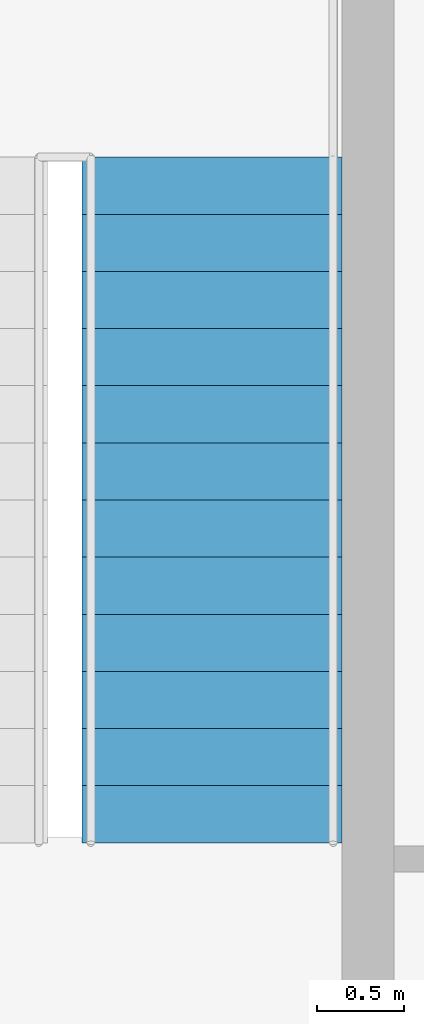
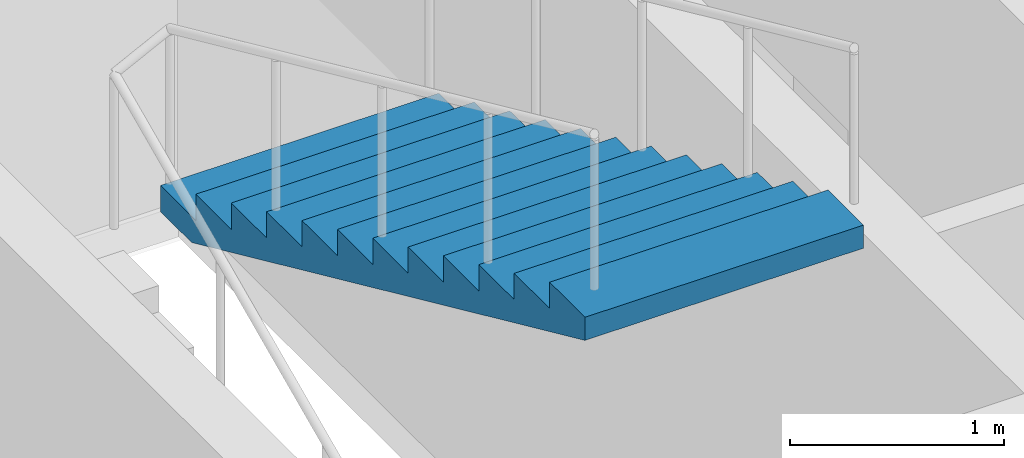
# One storey, part 10 of 11: 1 stair flight, 1 element without a shape of its own.
"""IFC4 building model written with IfcOpenShell, lengths in metres."""

from ifc_helpers import new_model, si_unit, direction, frame, origin, place, context, subcontext, project, spatial, polygons, material, type_object, element, aggregate, save


model = new_model("IFC4")

# Units and contexts
model_context = context("Model", 3, precision=1e-05, world=origin(), true_north=direction((0.0, 1.0)))
body_context = subcontext(model_context, "Body", "Model", "MODEL_VIEW")
ifc_project = project(units=[si_unit("LENGTHUNIT", "METRE"), si_unit("AREAUNIT", "SQUARE_METRE"), si_unit("VOLUMEUNIT", "CUBIC_METRE"), si_unit("PLANEANGLEUNIT", "RADIAN"), si_unit("MASSUNIT", "GRAM", prefix="KILO")], contexts=[model_context])

# Site, building, storey
site_placement = place(None, origin())
site = spatial("IfcSite", under=ifc_project, at=site_placement, CompositionType="ELEMENT")
building_placement = place(site_placement, origin())
building = spatial("IfcBuilding", under=site, at=building_placement, Name="Njiva Tower", CompositionType="ELEMENT")
storey_placement = place(building_placement, frame((0.0, 0.0, 178.8)))
storey = spatial("IfcBuildingStorey", under=building, at=storey_placement, Name="L39", CompositionType="ELEMENT", Elevation=178.8)

# Stair, stair flight
ifc_material = material(Name="Concrete C40/50", Category="concrete")
stair_type = type_object("IfcStairType", Name="ST4 Exit stair 1500", PredefinedType="HALF_TURN_STAIR", material=ifc_material)
stair_placement = place(storey_placement, origin())
stair = element("IfcStair", 1, at=stair_placement, inside=storey, type_object=stair_type, Name="Stair B", PredefinedType="HALF_TURN_STAIR")
stair_flight_type = type_object("IfcStairFlightType", Name="FL4 Stair flight 1500", PredefinedType="STRAIGHT", material=ifc_material)
stair_flight_placement = place(storey_placement, frame((13.45, 15.06, 1.95), z_axis=(0.0, 0.0, 1.0), x_axis=(0.0, -1.0, 0.0)))
stair_flight = element("IfcStairFlight", 2, at=stair_flight_placement, type_object=stair_flight_type, Name="ST-B flight 2", NumberOfRisers=13, NumberOfTreads=12, PredefinedType="STRAIGHT", RiserHeight=0.15, TreadLength=0.33, context=body_context, shape_type="Tessellation", body=[
    polygons([(0.0, 0.75, 0.0), (0.0, 0.375, 0.0), (0.0, 0.0, 0.0), (0.0, -0.375, 0.0), (0.0, -0.75, 0.0), (0.0, 0.75, 0.15), (0.0, 0.375, 0.15), (0.0, 0.0, 0.15), (0.0, -0.375, 0.15), (0.0, -0.75, 0.15), (0.33, 0.75, 0.15), (0.33, 0.375, 0.15), (0.33, 0.0, 0.15), (0.33, -0.375, 0.15), (0.33, -0.75, 0.15), (0.33, 0.75, 0.3), (0.33, 0.375, 0.3), (0.33, 0.0, 0.3), (0.33, -0.375, 0.3), (0.33, -0.75, 0.3), (0.66, 0.75, 0.3), (0.66, 0.375, 0.3), (0.66, 0.0, 0.3), (0.66, -0.375, 0.3), (0.66, -0.75, 0.3), (0.66, 0.75, 0.45), (0.66, 0.375, 0.45), (0.66, 0.0, 0.45), (0.66, -0.375, 0.45), (0.66, -0.75, 0.45), (0.99, 0.75, 0.45), (0.99, 0.375, 0.45), (0.99, 0.0, 0.45), (0.99, -0.375, 0.45), (0.99, -0.75, 0.45), (0.99, 0.75, 0.6), (0.99, 0.375, 0.6), (0.99, 0.0, 0.6), (0.99, -0.375, 0.6), (0.99, -0.75, 0.6), (1.32, 0.75, 0.6), (1.32, 0.375, 0.6), (1.32, 0.0, 0.6), (1.32, -0.375, 0.6), (1.32, -0.75, 0.6), (1.32, 0.75, 0.75), (1.32, 0.375, 0.75), (1.32, 0.0, 0.75), (1.32, -0.375, 0.75), (1.32, -0.75, 0.75), (1.65, 0.75, 0.75), (1.65, 0.375, 0.75), (1.65, 0.0, 0.75), (1.65, -0.375, 0.75), (1.65, -0.75, 0.75), (1.65, 0.75, 0.9), (1.65, 0.375, 0.9), (1.65, 0.0, 0.9), (1.65, -0.375, 0.9), (1.65, -0.75, 0.9), (1.98, 0.75, 0.9), (1.98, 0.375, 0.9), (1.98, 0.0, 0.9), (1.98, -0.375, 0.9), (1.98, -0.75, 0.9), (1.98, 0.75, 1.05), (1.98, 0.375, 1.05), (1.98, 0.0, 1.05), (1.98, -0.375, 1.05), (1.98, -0.75, 1.05), (2.31, 0.75, 1.05), (2.31, 0.375, 1.05), (2.31, 0.0, 1.05), (2.31, -0.375, 1.05), (2.31, -0.75, 1.05), (2.31, 0.75, 1.2), (2.31, 0.375, 1.2), (2.31, 0.0, 1.2), (2.31, -0.375, 1.2), (2.31, -0.75, 1.2), (2.64, 0.75, 1.2), (2.64, 0.375, 1.2), (2.64, 0.0, 1.2), (2.64, -0.375, 1.2), (2.64, -0.75, 1.2), (2.64, 0.75, 1.35), (2.64, 0.375, 1.35), (2.64, 0.0, 1.35), (2.64, -0.375, 1.35), (2.64, -0.75, 1.35), (2.97, 0.75, 1.35), (2.97, 0.375, 1.35), (2.97, 0.0, 1.35), (2.97, -0.375, 1.35), (2.97, -0.75, 1.35), (2.97, 0.75, 1.5), (2.97, 0.375, 1.5), (2.97, 0.0, 1.5), (2.97, -0.375, 1.5), (2.97, -0.75, 1.5), (3.3, 0.75, 1.5), (3.3, 0.375, 1.5), (3.3, 0.0, 1.5), (3.3, -0.375, 1.5), (3.3, -0.75, 1.5), (3.3, 0.75, 1.65), (3.3, 0.375, 1.65), (3.3, 0.0, 1.65), (3.3, -0.375, 1.65), (3.3, -0.75, 1.65), (3.63, 0.75, 1.65), (3.63, 0.375, 1.65), (3.63, 0.0, 1.65), (3.63, -0.375, 1.65), (3.63, -0.75, 1.65), (3.63, 0.75, 1.8), (3.63, 0.375, 1.8), (3.63, 0.0, 1.8), (3.63, -0.375, 1.8), (3.63, -0.75, 1.8), (3.96, 0.75, 1.8), (3.96, 0.375, 1.8), (3.96, 0.0, 1.8), (3.96, -0.375, 1.8), (3.96, -0.75, 1.8), (3.96, 0.75, 1.6682), (3.96, 0.375, 1.6682), (3.96, 0.0, 1.6682), (3.96, -0.375, 1.6682), (3.96, -0.75, 1.6682), (0.29, 0.75, 0.0), (0.29, 0.375, 0.0), (0.29, 0.0, 0.0), (0.29, -0.375, 0.0), (0.29, -0.75, 0.0)], [[[1, 6, 11, 16, 21, 26, 31, 36, 41, 46, 51, 56, 61, 66, 71, 76, 81, 86, 91, 96, 101, 106, 111, 116, 121, 126, 131]], [[135, 130, 125, 120, 115, 110, 105, 100, 95, 90, 85, 80, 75, 70, 65, 60, 55, 50, 45, 40, 35, 30, 25, 20, 15, 10, 5]], [[6, 1, 2, 7]], [[7, 2, 3, 8]], [[8, 3, 4, 9]], [[9, 4, 5, 10]], [[11, 6, 7, 12]], [[12, 7, 8, 13]], [[13, 8, 9, 14]], [[14, 9, 10, 15]], [[16, 11, 12, 17]], [[17, 12, 13, 18]], [[18, 13, 14, 19]], [[19, 14, 15, 20]], [[21, 16, 17, 22]], [[22, 17, 18, 23]], [[23, 18, 19, 24]], [[24, 19, 20, 25]], [[26, 21, 22, 27]], [[27, 22, 23, 28]], [[28, 23, 24, 29]], [[29, 24, 25, 30]], [[31, 26, 27, 32]], [[32, 27, 28, 33]], [[33, 28, 29, 34]], [[34, 29, 30, 35]], [[36, 31, 32, 37]], [[37, 32, 33, 38]], [[38, 33, 34, 39]], [[39, 34, 35, 40]], [[41, 36, 37, 42]], [[42, 37, 38, 43]], [[43, 38, 39, 44]], [[44, 39, 40, 45]], [[46, 41, 42, 47]], [[47, 42, 43, 48]], [[48, 43, 44, 49]], [[49, 44, 45, 50]], [[51, 46, 47, 52]], [[52, 47, 48, 53]], [[53, 48, 49, 54]], [[54, 49, 50, 55]], [[56, 51, 52, 57]], [[57, 52, 53, 58]], [[58, 53, 54, 59]], [[59, 54, 55, 60]], [[61, 56, 57, 62]], [[62, 57, 58, 63]], [[63, 58, 59, 64]], [[64, 59, 60, 65]], [[66, 61, 62, 67]], [[67, 62, 63, 68]], [[68, 63, 64, 69]], [[69, 64, 65, 70]], [[71, 66, 67, 72]], [[72, 67, 68, 73]], [[73, 68, 69, 74]], [[74, 69, 70, 75]], [[76, 71, 72, 77]], [[77, 72, 73, 78]], [[78, 73, 74, 79]], [[79, 74, 75, 80]], [[81, 76, 77, 82]], [[82, 77, 78, 83]], [[83, 78, 79, 84]], [[84, 79, 80, 85]], [[86, 81, 82, 87]], [[87, 82, 83, 88]], [[88, 83, 84, 89]], [[89, 84, 85, 90]], [[91, 86, 87, 92]], [[92, 87, 88, 93]], [[93, 88, 89, 94]], [[94, 89, 90, 95]], [[96, 91, 92, 97]], [[97, 92, 93, 98]], [[98, 93, 94, 99]], [[99, 94, 95, 100]], [[101, 96, 97, 102]], [[102, 97, 98, 103]], [[103, 98, 99, 104]], [[104, 99, 100, 105]], [[106, 101, 102, 107]], [[107, 102, 103, 108]], [[108, 103, 104, 109]], [[109, 104, 105, 110]], [[111, 106, 107, 112]], [[112, 107, 108, 113]], [[113, 108, 109, 114]], [[114, 109, 110, 115]], [[116, 111, 112, 117]], [[117, 112, 113, 118]], [[118, 113, 114, 119]], [[119, 114, 115, 120]], [[121, 116, 117, 122]], [[122, 117, 118, 123]], [[123, 118, 119, 124]], [[124, 119, 120, 125]], [[126, 121, 122, 127]], [[127, 122, 123, 128]], [[128, 123, 124, 129]], [[129, 124, 125, 130]], [[131, 126, 127, 132]], [[132, 127, 128, 133]], [[133, 128, 129, 134]], [[134, 129, 130, 135]], [[1, 131, 132, 2]], [[2, 132, 133, 3]], [[3, 133, 134, 4]], [[4, 134, 135, 5]]], closed=True),
])
aggregate(stair, [stair_flight])

save(model, "model.ifc")
